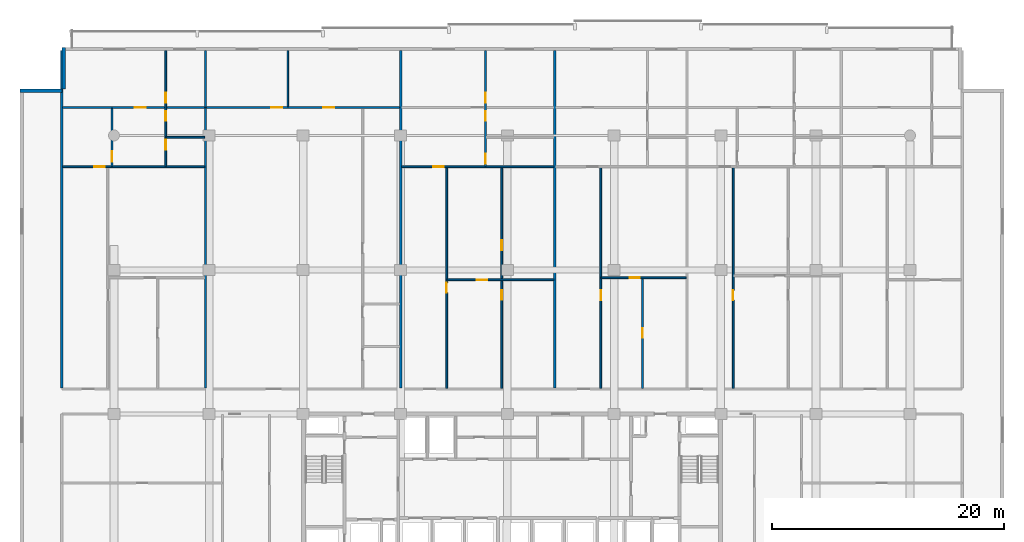
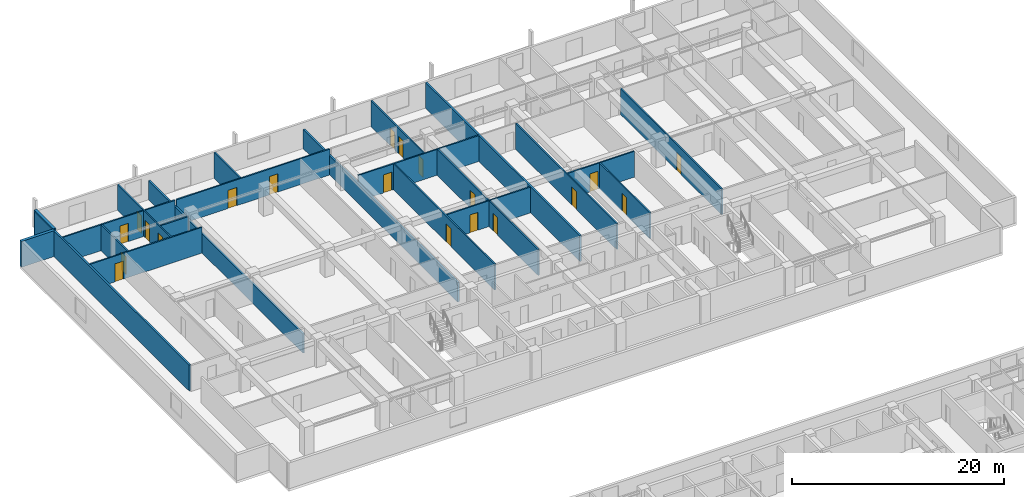
# One storey, part 14 of 23: 22 walls, 20 doors, 20 openings.
"""IFC4 building model written with IfcOpenShell, lengths in metres."""

import ifcopenshell
import ifcopenshell.guid

model = None  # the IFC model being written
_history = None  # IfcOwnerHistory: only IFC2X3 demands one
_inside = {}  # id of a spatial element -> (the spatial element, [elements in it])
_under = {}  # id of a project, library or spatial element -> (it, [spatial elements below it])
_declared = {}  # id of a project -> (the project, [libraries it declares])
_typed = {}  # id of a type object -> (the type object, [elements of that type])
_made_of = {}  # id of a material, layer set ... -> (it, [elements and type objects made of it])


def new_model(schema):
    """Start an empty IFC model of exactly this schema.

    Asked for "IFC4X3", IfcOpenShell would pick the latest addendum, in which some entities
    have other attributes; the version numbers below select the first issue.
    IFC2X3 requires an IfcOwnerHistory on every rooted entity: one is made here for all.
    """
    global model, _history
    if schema == "IFC4X3":
        model = ifcopenshell.file(schema_version=(4, 3, 0, 0))
    else:
        model = ifcopenshell.file(schema=schema)
    _inside.clear()
    _under.clear()
    _declared.clear()
    _typed.clear()
    _made_of.clear()
    _history = None
    if model.schema == "IFC2X3":
        org = make("IfcOrganization", Name="unknown")
        user = make(
            "IfcPersonAndOrganization",
            ThePerson=make("IfcPerson", FamilyName="unknown"),
            TheOrganization=org,
        )
        app = make(
            "IfcApplication",
            ApplicationDeveloper=org,
            Version="unknown",
            ApplicationFullName="unknown",
            ApplicationIdentifier="unknown",
        )
        _history = make(
            "IfcOwnerHistory",
            OwningUser=user,
            OwningApplication=app,
            ChangeAction="ADDED",
            CreationDate=0,
        )
    return model


def make(cls, **values):
    """One entity of the class cls with the attributes given. An attribute that is None is left unset."""
    return model.create_entity(
        cls, **{name: value for name, value in values.items() if value is not None}
    )


def rooted(cls, **values):
    """An entity with a GlobalId (a new one), such as an element, a storey or a relation."""
    return make(cls, GlobalId=ifcopenshell.guid.new(), OwnerHistory=_history, **values)


def si_unit(unit_type, name, prefix=None):
    """IfcSIUnit, for example si_unit("LENGTHUNIT", "METRE", prefix="MILLI")."""
    return make("IfcSIUnit", UnitType=unit_type, Prefix=prefix, Name=name)


def assignment(units):
    """IfcUnitAssignment: the units of a project."""
    return None if units is None else make("IfcUnitAssignment", Units=units)


def point(xyz):
    """IfcCartesianPoint."""
    return None if xyz is None else make("IfcCartesianPoint", Coordinates=xyz)


def direction(xyz):
    """IfcDirection."""
    return None if xyz is None else make("IfcDirection", DirectionRatios=xyz)


def frame(location, z_axis=None, x_axis=None):
    """IfcAxis2Placement3D, a coordinate frame: its origin and axes. An axis left out is left unset."""
    return make(
        "IfcAxis2Placement3D",
        Location=point(location),
        Axis=direction(z_axis),
        RefDirection=direction(x_axis),
    )


def frame_2d(location, x_axis=None):
    """IfcAxis2Placement2D, a coordinate frame in the plane: its origin and x axis."""
    return make(
        "IfcAxis2Placement2D", Location=point(location), RefDirection=direction(x_axis)
    )


def origin():
    """The frame at (0, 0, 0) with its axes left unset."""
    return frame((0.0, 0.0, 0.0))


def place(relative_to, where):
    """IfcLocalPlacement: puts the frame where relative to a parent placement (None: the world)."""
    return make(
        "IfcLocalPlacement", PlacementRelTo=relative_to, RelativePlacement=where
    )


def context(
    kind, dimensions, precision=None, world=None, true_north=None, identifier=None
):
    """IfcGeometricRepresentationContext, for example the 3D "Model" context."""
    return make(
        "IfcGeometricRepresentationContext",
        ContextIdentifier=identifier,
        ContextType=kind,
        CoordinateSpaceDimension=dimensions,
        Precision=precision,
        WorldCoordinateSystem=world,
        TrueNorth=true_north,
    )


def subcontext(parent, identifier, kind, view, scale=None):
    """IfcGeometricRepresentationSubContext, for example "Body" below "Model"."""
    return make(
        "IfcGeometricRepresentationSubContext",
        ContextIdentifier=identifier,
        ContextType=kind,
        ParentContext=parent,
        TargetScale=scale,
        TargetView=view,
    )


def project(units=None, contexts=None):
    """IfcProject with its units and contexts."""
    return rooted(
        "IfcProject",
        Name="project",
        RepresentationContexts=contexts,
        UnitsInContext=assignment(units),
    )


def spatial(cls, under=None, at=None, **own):
    """A site, building, storey or space (cls), placed at a placement, below another one or the project."""
    s = rooted(cls, ObjectPlacement=at, **own)
    if under is not None:
        _under.setdefault(under.id(), (under, []))[1].append(s)
    return s


def profile(cls, at=None, kind="AREA", **sizes):
    """A parametric profile (cls). Its sizes go by their IFC names, for example OverallWidth=200.0."""
    return make(cls, ProfileType=kind, Position=at, **sizes)


def rectangle(**sizes):
    """IfcRectangleProfileDef."""
    return profile("IfcRectangleProfileDef", **sizes)


def extrude(swept, where, along, depth):
    """IfcExtrudedAreaSolid: the profile swept, set in the frame where, extruded along a direction by depth."""
    return make(
        "IfcExtrudedAreaSolid",
        SweptArea=swept,
        Position=where,
        ExtrudedDirection=direction(along),
        Depth=depth,
    )


def shape(context_of_items, identifier, shape_type, items):
    """IfcShapeRepresentation: the items that make up one representation, for example the "Body"."""
    return make(
        "IfcShapeRepresentation",
        ContextOfItems=context_of_items,
        RepresentationIdentifier=identifier,
        RepresentationType=shape_type,
        Items=items,
    )


def material(Name=None, Category=None):
    """IfcMaterial."""
    return make("IfcMaterial", Name=Name, Category=Category)


def layer(
    of_material, thickness, ventilated=None, Name=None, Category=None, Priority=None
):
    """IfcMaterialLayer: one layer of a wall or slab, of a material (None: an air gap)."""
    return make(
        "IfcMaterialLayer",
        Material=of_material,
        LayerThickness=thickness,
        IsVentilated=ventilated,
        Name=Name,
        Category=Category,
        Priority=Priority,
    )


def layer_set(layers, Name=None):
    """IfcMaterialLayerSet."""
    return make("IfcMaterialLayerSet", MaterialLayers=layers, LayerSetName=Name)


def made_of(thing, what):
    """Note that an element or type object is made of a material, layer set ...; save() writes the relation."""
    if what is not None:
        _made_of.setdefault(what.id(), (what, []))[1].append(thing)
    return thing


def type_object(cls, material=None, **own):
    """A type object (cls), such as IfcWallType, which elements share."""
    return made_of(rooted(cls, **own), material)


def element(
    cls,
    number,
    at=None,
    inside=None,
    cuts=None,
    type_object=None,
    material=None,
    context=None,
    identifier="Body",
    shape_type=None,
    held_by="IfcProductDefinitionShape",
    body=None,
    shapes=None,
    **own,
):
    """One element of the class cls, such as IfcWall. Its Tag is "e" and its number.

    at: its placement. inside: the storey or other place that contains it. cuts: it is an
    opening in that element (IfcRelVoidsElement). A single representation is given by context,
    identifier, shape_type and body (its items); several are given by shapes. held_by: the class
    of the entity that holds the representations. save() writes the other relations.
    """
    e = rooted(cls, Tag="e%d" % number, ObjectPlacement=at, **own)
    if body is not None:
        shapes = [shape(context, identifier, shape_type, body)]
    if shapes is not None:
        e.Representation = make(held_by, Representations=shapes)
    if inside is not None:
        _inside.setdefault(inside.id(), (inside, []))[1].append(e)
    if cuts is not None:
        rooted(
            "IfcRelVoidsElement", RelatingBuildingElement=cuts, RelatedOpeningElement=e
        )
    if type_object is not None:
        _typed.setdefault(type_object.id(), (type_object, []))[1].append(e)
    return made_of(e, material)


def fill(opening, filler):
    """IfcRelFillsElement: the door or window that sits in an opening."""
    return rooted(
        "IfcRelFillsElement",
        RelatingOpeningElement=opening,
        RelatedBuildingElement=filler,
    )


def aggregate(whole, parts):
    """IfcRelAggregates: a whole, such as a stair, and the parts it consists of."""
    return rooted("IfcRelAggregates", RelatingObject=whole, RelatedObjects=parts)


def save(model, path):
    """Write the relations noted so far, then the file.

    IfcRelAggregates (storeys below a building ...), IfcRelContainedInSpatialStructure (elements
    in a storey), IfcRelDefinesByType, IfcRelAssociatesMaterial and IfcRelDeclares: one each for
    every whole, place, type object, material and project.
    """
    for whole, parts in _under.values():
        aggregate(whole, parts)
    for where, things in _inside.values():
        rooted(
            "IfcRelContainedInSpatialStructure",
            RelatedElements=things,
            RelatingStructure=where,
        )
    for kind, things in _typed.values():
        rooted("IfcRelDefinesByType", RelatedObjects=things, RelatingType=kind)
    for what, things in _made_of.values():
        rooted("IfcRelAssociatesMaterial", RelatedObjects=things, RelatingMaterial=what)
    for by, libraries in _declared.values():
        rooted("IfcRelDeclares", RelatingContext=by, RelatedDefinitions=libraries)
    model.write(path)


model = new_model("IFC4")

# Units and contexts
model_context = context("Model", 3, precision=1e-05, world=origin(), true_north=direction((0.0, 1.0)))
body_context = subcontext(model_context, "Body", "Model", "MODEL_VIEW")
ifc_project = project(units=[si_unit("LENGTHUNIT", "METRE"), si_unit("AREAUNIT", "SQUARE_METRE"), si_unit("VOLUMEUNIT", "CUBIC_METRE"), si_unit("PLANEANGLEUNIT", "RADIAN"), si_unit("MASSUNIT", "GRAM", prefix="KILO")], contexts=[model_context])

# Site, building, storey
site_placement = place(None, origin())
site = spatial("IfcSite", under=ifc_project, at=site_placement, CompositionType="ELEMENT")
building_placement = place(site_placement, origin())
building = spatial("IfcBuilding", under=site, at=building_placement, Name="Korimba Cascade Residences", CompositionType="ELEMENT")
storey_placement = place(building_placement, frame((0.0, 0.0, 33.75)))
storey = spatial("IfcBuildingStorey", under=building, at=storey_placement, Name="L08", CompositionType="ELEMENT", Elevation=33.75)

# Walls
ifc_material_1 = material(Name="Precast concrete C40/50", Category="concrete")
ifc_layer_1 = layer(ifc_material_1, 0.300048828125)
ifc_layer_set_1 = layer_set([ifc_layer_1], Name="Precast concrete C40/50")
wall_type_1 = type_object("IfcWallType", Name="EW-STONE-300", PredefinedType="STANDARD", material=ifc_layer_set_1)
for number, where, z_axis, x_axis, name in (
    (1, (55.449951171875, 98.800048828125, 0.0), (0.0, 0.0, 1.0), (0.0, -1.0, 0.0), "L08 T1 Perimeter Stone Wall E07"),
    (2, (55.300048828125, 95.050048828125, 0.0), (0.0, 0.0, 1.0), (-1.0, 0.0, 0.0), "L08 T1 Perimeter Stone Wall E08"),
):
    element("IfcWall", number, at=place(storey_placement, frame(where, z_axis=z_axis, x_axis=x_axis)), inside=storey, type_object=wall_type_1, Name=name, PredefinedType="STANDARD", context=body_context, shape_type="SweptSolid", body=[
        extrude(rectangle(XDim=3.60009765625, YDim=0.300048828125, at=frame_2d((1.800048828125, 0.0))), origin(), (0.0, 0.0, 1.0), 2.969970703125),
    ])
ifc_layer_2 = layer(ifc_material_1, 0.199951171875)
ifc_layer_set_2 = layer_set([ifc_layer_2], Name="Precast concrete C40/50")
wall_type_2 = type_object("IfcWallType", Name="WAL-IT-200", PredefinedType="PARTITIONING", material=ifc_layer_set_2)
wall_1_placement = place(storey_placement, frame((55.300048828125, 69.429931640625, 0.0), z_axis=(0.0, 0.0, 1.0), x_axis=(0.0, 1.0, 0.0)))
element("IfcWall", 3, at=wall_1_placement, inside=storey, type_object=wall_type_2, Name="L08 Partition Wall WAL-L08-T1-BNDWL", PredefinedType="PARTITIONING", context=body_context, shape_type="SweptSolid", body=[
    extrude(rectangle(XDim=29.070068359375, YDim=0.199951171875, at=frame_2d((14.53515625, 0.0))), origin(), (0.0, 0.0, 1.0), 2.969970703125),
])
for number, where, z_axis, x_axis, name in (
    (4, (67.68017578125, 69.429931640625, 0.0), (0.0, 0.0, 1.0), (0.0, 1.0, 0.0), "L08 Partition Wall WAL-L08-T1-DEM-1"),
    (5, (84.49951171875, 69.429931640625, 0.0), (0.0, 0.0, 1.0), (0.0, 1.0, 0.0), "L08 Partition Wall WAL-L08-T1-DEM-2"),
):
    element("IfcWall", number, at=place(storey_placement, frame(where, z_axis=z_axis, x_axis=x_axis)), inside=storey, type_object=wall_type_2, Name=name, PredefinedType="PARTITIONING", context=body_context, shape_type="SweptSolid", body=[
        extrude(rectangle(XDim=29.070068359375, YDim=0.199951171875, at=frame_2d((14.53515625, 0.0))), origin(), (0.0, 0.0, 1.0), 2.219970703125),
    ])
wall_2_placement = place(storey_placement, frame((97.781982421875, 69.429931640625, 0.0), z_axis=(0.0, 0.0, 1.0), x_axis=(0.0, 1.0, 0.0)))
element("IfcWall", 6, at=wall_2_placement, inside=storey, type_object=wall_type_2, Name="L08 Partition Wall WAL-L08-T1-DEM-3", PredefinedType="PARTITIONING", context=body_context, shape_type="SweptSolid", body=[
    extrude(rectangle(XDim=29.070068359375, YDim=0.199951171875, at=frame_2d((14.53515625, 0.0))), origin(), (0.0, 0.0, 1.0), 2.969970703125),
])

# Wall, opening, door
ifc_material_2 = material(Name="Insulated Acoustic Stud Partition", Category="gypsum")
ifc_layer_3 = layer(ifc_material_2, 0.14990234375)
ifc_layer_set_3 = layer_set([ifc_layer_3], Name="Insulated Acoustic Stud Partition")
wall_type_3 = type_object("IfcWallType", Name="WAL-PART-150", PredefinedType="PARTITIONING", material=ifc_layer_set_3)
wall_3_placement = place(storey_placement, frame((59.6201171875, 88.5400390625, 0.0), z_axis=(0.0, 0.0, 1.0), x_axis=(0.0, 1.0, 0.0)))
wall_3 = element("IfcWall", 7, at=wall_3_placement, inside=storey, type_object=wall_type_3, Name="L08 Partition Wall WAL-L08-T1-U01-VDIN", PredefinedType="PARTITIONING", context=body_context, shape_type="SweptSolid", body=[
    extrude(rectangle(XDim=5.0, YDim=0.14990234375, at=frame_2d((2.5, 0.0))), origin(), (0.0, 0.0, 1.0), 2.969970703125),
])
opening_1_placement = place(wall_3_placement, frame((0.39990234375, 0.0, 0.0)))
opening_1 = element("IfcOpeningElement", 8, at=opening_1_placement, cuts=wall_3, Name="Opening D-IN2", PredefinedType="OPENING", context=body_context, shape_type="SweptSolid", body=[
    extrude(rectangle(XDim=0.8798828125, YDim=2.06005859375, at=frame_2d((0.43994140625, 1.030029296875))), frame((0.0, 0.0849609375, 0.0), z_axis=(0.0, -1.0, 0.0), x_axis=(1.0, 0.0, 0.0)), (0.0, 0.0, 1.0), 0.169921875),
])
ifc_material_3 = material(Name="Acoustic Timber Bedroom Door", Category="wood")
door_type_1 = type_object("IfcDoorType", Name="DR-INT-880", OperationType="NOTDEFINED", PredefinedType="DOOR", material=ifc_material_3)
door_1_placement = place(opening_1_placement, origin())
door_1 = element("IfcDoor", 9, at=door_1_placement, inside=storey, type_object=door_type_1, Name="L08-T1-U01 Dining Room Door", OperationType="SINGLE_SWING_RIGHT", OverallHeight=2.06005859375, OverallWidth=0.8798828125, PredefinedType="DOOR", context=body_context, shape_type="SweptSolid", body=[
    extrude(rectangle(XDim=0.8798828125, YDim=2.06005859375, at=frame_2d((0.43994140625, 1.030029296875))), frame((0.0, 0.02490234375, 0.0), z_axis=(0.0, -1.0, 0.0), x_axis=(1.0, 0.0, 0.0)), (0.0, 0.0, 1.0), 0.050048828125),
])
fill(opening_1, door_1)

# Wall
wall_4_placement = place(storey_placement, frame((64.3203125, 91.0400390625, 0.0), z_axis=(0.0, 0.0, 1.0), x_axis=(1.0, 0.0, 0.0)))
element("IfcWall", 10, at=wall_4_placement, inside=storey, type_object=wall_type_3, Name="L08 Partition Wall WAL-L08-T1-U01-BLDIV", PredefinedType="PARTITIONING", context=body_context, shape_type="SweptSolid", body=[
    extrude(rectangle(XDim=3.27978515625, YDim=0.14990234375, at=frame_2d((1.639892578125, 0.0))), origin(), (0.0, 0.0, 1.0), 2.663330078125),
])

# Wall, openings, doors
wall_5_placement = place(storey_placement, frame((64.26025390625, 88.5400390625, 0.0), z_axis=(0.0, 0.0, 1.0), x_axis=(0.0, 1.0, 0.0)))
wall_5 = element("IfcWall", 11, at=wall_5_placement, inside=storey, type_object=wall_type_3, Name="L08 Partition Wall WAL-L08-T1-U01-V1", PredefinedType="PARTITIONING", context=body_context, shape_type="SweptSolid", body=[
    extrude(rectangle(XDim=9.9599609375, YDim=0.14990234375, at=frame_2d((4.97998046875, 0.0))), origin(), (0.0, 0.0, 1.0), 2.969970703125),
])
opening_2_placement = place(wall_5_placement, frame((1.430419921875, 0.0, 0.0)))
opening_2 = element("IfcOpeningElement", 12, at=opening_2_placement, cuts=wall_5, Name="Opening D-BT1", PredefinedType="OPENING", context=body_context, shape_type="SweptSolid", body=[
    extrude(rectangle(XDim=0.840087890625, YDim=2.0400390625, at=frame_2d((0.419921875, 1.02001953125))), frame((0.0, 0.0849609375, 0.0), z_axis=(0.0, -1.0, 0.0), x_axis=(1.0, 0.0, 0.0)), (0.0, 0.0, 1.0), 0.169921875),
])
opening_3_placement = place(wall_5_placement, frame((3.919921875, 0.0, 0.0)))
opening_3 = element("IfcOpeningElement", 13, at=opening_3_placement, cuts=wall_5, Name="Opening D-BT1", PredefinedType="OPENING", context=body_context, shape_type="SweptSolid", body=[
    extrude(rectangle(XDim=0.840087890625, YDim=2.0400390625, at=frame_2d((0.419921875, 1.02001953125))), frame((0.0, 0.0849609375, 0.0), z_axis=(0.0, -1.0, 0.0), x_axis=(1.0, 0.0, 0.0)), (0.0, 0.0, 1.0), 0.169921875),
])
opening_4_placement = place(wall_5_placement, frame((5.47998046875, 0.0, 0.0)))
opening_4 = element("IfcOpeningElement", 14, at=opening_4_placement, cuts=wall_5, Name="Opening D-IN2", PredefinedType="OPENING", context=body_context, shape_type="SweptSolid", body=[
    extrude(rectangle(XDim=0.8798828125, YDim=2.06005859375, at=frame_2d((0.43994140625, 1.030029296875))), frame((0.0, 0.0849609375, 0.0), z_axis=(0.0, -1.0, 0.0), x_axis=(1.0, 0.0, 0.0)), (0.0, 0.0, 1.0), 0.169921875),
])
ifc_material_4 = material(Name="Moisture-Resistant Bathroom Timber Door", Category="wood")
door_type_2 = type_object("IfcDoorType", Name="DR-INT-850", OperationType="NOTDEFINED", PredefinedType="DOOR", material=ifc_material_4)
door_2_placement = place(opening_2_placement, origin())
door_2 = element("IfcDoor", 15, at=door_2_placement, inside=storey, type_object=door_type_2, Name="L08-T1-U01 Bathroom Door", OperationType="SINGLE_SWING_LEFT", OverallHeight=2.0400390625, OverallWidth=0.840087890625, PredefinedType="DOOR", context=body_context, shape_type="SweptSolid", body=[
    extrude(rectangle(XDim=0.840087890625, YDim=2.0400390625, at=frame_2d((0.419921875, 1.02001953125))), frame((0.0, 0.02490234375, 0.0), z_axis=(0.0, -1.0, 0.0), x_axis=(1.0, 0.0, 0.0)), (0.0, 0.0, 1.0), 0.050048828125),
])
fill(opening_2, door_2)
door_3_placement = place(opening_3_placement, origin())
door_3 = element("IfcDoor", 16, at=door_3_placement, inside=storey, type_object=door_type_2, Name="L08-T1-U01 Laundry Door", OperationType="SINGLE_SWING_RIGHT", OverallHeight=2.0400390625, OverallWidth=0.840087890625, PredefinedType="DOOR", context=body_context, shape_type="SweptSolid", body=[
    extrude(rectangle(XDim=0.840087890625, YDim=2.0400390625, at=frame_2d((0.419921875, 1.02001953125))), frame((0.0, 0.02490234375, 0.0), z_axis=(0.0, -1.0, 0.0), x_axis=(1.0, 0.0, 0.0)), (0.0, 0.0, 1.0), 0.050048828125),
])
fill(opening_3, door_3)
door_4_placement = place(opening_4_placement, origin())
door_4 = element("IfcDoor", 17, at=door_4_placement, inside=storey, type_object=door_type_1, Name="L08-T1-U01 Bedroom 1 Door", OperationType="SINGLE_SWING_LEFT", OverallHeight=2.06005859375, OverallWidth=0.8798828125, PredefinedType="DOOR", context=body_context, shape_type="SweptSolid", body=[
    extrude(rectangle(XDim=0.8798828125, YDim=2.06005859375, at=frame_2d((0.43994140625, 1.030029296875))), frame((0.0, 0.02490234375, 0.0), z_axis=(0.0, -1.0, 0.0), x_axis=(1.0, 0.0, 0.0)), (0.0, 0.0, 1.0), 0.050048828125),
])
fill(opening_4, door_4)

# Wall, opening, door
wall_6_placement = place(storey_placement, frame((55.3798828125, 88.5, 0.0), z_axis=(0.0, 0.0, 1.0), x_axis=(1.0, 0.0, 0.0)))
wall_6 = element("IfcWall", 18, at=wall_6_placement, inside=storey, type_object=wall_type_3, Name="L08 Partition Wall WAL-L08-T1-U01-MW", PredefinedType="PARTITIONING", context=body_context, shape_type="SweptSolid", body=[
    extrude(rectangle(XDim=12.22021484375, YDim=0.14990234375, at=frame_2d((6.110107421875, 0.0))), origin(), (0.0, 0.0, 1.0), 2.969970703125),
])
opening_5_placement = place(wall_6_placement, frame((2.719970703125, 0.0, 0.0)))
opening_5 = element("IfcOpeningElement", 19, at=opening_5_placement, cuts=wall_6, Name="Opening D-IN1", PredefinedType="OPENING", context=body_context, shape_type="SweptSolid", body=[
    extrude(rectangle(XDim=0.919921875, YDim=2.080078125, at=frame_2d((0.4599609375, 1.0400390625))), frame((0.0, 0.0849609375, 0.0), z_axis=(0.0, -1.0, 0.0), x_axis=(1.0, 0.0, 0.0)), (0.0, 0.0, 1.0), 0.169921875),
])
ifc_material_5 = material(Name="Acoustic Timber Living Door", Category="wood")
door_type_3 = type_object("IfcDoorType", Name="DR-INT-920", OperationType="NOTDEFINED", PredefinedType="DOOR", material=ifc_material_5)
door_5_placement = place(opening_5_placement, origin())
door_5 = element("IfcDoor", 20, at=door_5_placement, inside=storey, type_object=door_type_3, Name="L08-T1-U01 Kitchen Archway Door", OperationType="SINGLE_SWING_RIGHT", OverallHeight=2.080078125, OverallWidth=0.919921875, PredefinedType="DOOR", context=body_context, shape_type="SweptSolid", body=[
    extrude(rectangle(XDim=0.919921875, YDim=2.080078125, at=frame_2d((0.4599609375, 1.0400390625))), frame((0.0, 0.02490234375, 0.0), z_axis=(0.0, -1.0, 0.0), x_axis=(1.0, 0.0, 0.0)), (0.0, 0.0, 1.0), 0.050048828125),
])
fill(opening_5, door_5)

wall_7_placement = place(storey_placement, frame((55.3798828125, 93.60009765625, 0.0), z_axis=(0.0, 0.0, 1.0), x_axis=(1.0, 0.0, 0.0)))
wall_7 = element("IfcWall", 21, at=wall_7_placement, inside=storey, type_object=wall_type_3, Name="L08 Partition Wall WAL-L08-T1-U01-HZ", PredefinedType="PARTITIONING", context=body_context, shape_type="SweptSolid", body=[
    extrude(rectangle(XDim=12.22021484375, YDim=0.14990234375, at=frame_2d((6.110107421875, 0.0))), origin(), (0.0, 0.0, 1.0), 2.969970703125),
])
opening_6_placement = place(wall_7_placement, frame((6.2021484375, 0.0, 0.0)))
opening_6 = element("IfcOpeningElement", 22, at=opening_6_placement, cuts=wall_7, Name="Opening D-IN0", PredefinedType="OPENING", context=body_context, shape_type="SweptSolid", body=[
    extrude(rectangle(XDim=0.93994140625, YDim=2.10009765625, at=frame_2d((0.469970703125, 1.050048828125))), frame((0.0, 0.0849609375, 0.0), z_axis=(0.0, -1.0, 0.0), x_axis=(1.0, 0.0, 0.0)), (0.0, 0.0, 1.0), 0.169921875),
])
ifc_material_6 = material(Name="Acoustic Timber Living Archway Door", Category="wood")
door_type_4 = type_object("IfcDoorType", Name="DR-INT-950", OperationType="NOTDEFINED", PredefinedType="DOOR", material=ifc_material_6)
door_6_placement = place(opening_6_placement, origin())
door_6 = element("IfcDoor", 23, at=door_6_placement, inside=storey, type_object=door_type_4, Name="L08-T1-U01 Living Archway Door", OperationType="SINGLE_SWING_LEFT", OverallHeight=2.10009765625, OverallWidth=0.93994140625, PredefinedType="DOOR", context=body_context, shape_type="SweptSolid", body=[
    extrude(rectangle(XDim=0.93994140625, YDim=2.10009765625, at=frame_2d((0.469970703125, 1.050048828125))), frame((0.0, 0.02490234375, 0.0), z_axis=(0.0, -1.0, 0.0), x_axis=(1.0, 0.0, 0.0)), (0.0, 0.0, 1.0), 0.050048828125),
])
fill(opening_6, door_6)

# Wall
wall_8_placement = place(storey_placement, frame((74.784912109375, 93.679931640625, 0.0), z_axis=(0.0, 0.0, 1.0), x_axis=(0.0, 1.0, 0.0)))
element("IfcWall", 24, at=wall_8_placement, inside=storey, type_object=wall_type_3, Name="L08 Partition Wall WAL-L08-T1-U02-OUTV", PredefinedType="PARTITIONING", context=body_context, shape_type="SweptSolid", body=[
    extrude(rectangle(XDim=4.820068359375, YDim=0.14990234375, at=frame_2d((2.41015625, 0.0))), origin(), (0.0, 0.0, 1.0), 2.969970703125),
])

# Wall, openings, doors
wall_9_placement = place(storey_placement, frame((67.76025390625, 93.60009765625, 0.0), z_axis=(0.0, 0.0, 1.0), x_axis=(1.0, 0.0, 0.0)))
wall_9 = element("IfcWall", 25, at=wall_9_placement, inside=storey, type_object=wall_type_3, Name="L08 Partition Wall WAL-L08-T1-U02-HZ", PredefinedType="PARTITIONING", context=body_context, shape_type="SweptSolid", body=[
    extrude(rectangle(XDim=16.6591796875, YDim=0.14990234375, at=frame_2d((8.32958984375, 0.0))), origin(), (0.0, 0.0, 1.0), 2.969970703125),
])
opening_7_placement = place(wall_9_placement, frame((5.611083984375, 0.0, 0.0)))
opening_7 = element("IfcOpeningElement", 26, at=opening_7_placement, cuts=wall_9, Name="Opening D-IN0", PredefinedType="OPENING", context=body_context, shape_type="SweptSolid", body=[
    extrude(rectangle(XDim=0.93994140625, YDim=2.10009765625, at=frame_2d((0.469970703125, 1.050048828125))), frame((0.0, 0.0849609375, 0.0), z_axis=(0.0, -1.0, 0.0), x_axis=(1.0, 0.0, 0.0)), (0.0, 0.0, 1.0), 0.169921875),
])
opening_8_placement = place(wall_9_placement, frame((10.0771484375, 0.0, 0.0)))
opening_8 = element("IfcOpeningElement", 27, at=opening_8_placement, cuts=wall_9, Name="Opening D-IN0", PredefinedType="OPENING", context=body_context, shape_type="SweptSolid", body=[
    extrude(rectangle(XDim=0.93994140625, YDim=2.10009765625, at=frame_2d((0.469970703125, 1.050048828125))), frame((0.0, 0.0849609375, 0.0), z_axis=(0.0, -1.0, 0.0), x_axis=(1.0, 0.0, 0.0)), (0.0, 0.0, 1.0), 0.169921875),
])
door_7_placement = place(opening_7_placement, origin())
door_7 = element("IfcDoor", 28, at=door_7_placement, inside=storey, type_object=door_type_4, Name="L08-T1-U02 Executive Co-Working Office Door", OperationType="SINGLE_SWING_LEFT", OverallHeight=2.10009765625, OverallWidth=0.93994140625, PredefinedType="DOOR", context=body_context, shape_type="SweptSolid", body=[
    extrude(rectangle(XDim=0.93994140625, YDim=2.10009765625, at=frame_2d((0.469970703125, 1.050048828125))), frame((0.0, 0.02490234375, 0.0), z_axis=(0.0, -1.0, 0.0), x_axis=(1.0, 0.0, 0.0)), (0.0, 0.0, 1.0), 0.050048828125),
])
fill(opening_7, door_7)
door_8_placement = place(opening_8_placement, origin())
door_8 = element("IfcDoor", 29, at=door_8_placement, inside=storey, type_object=door_type_4, Name="L08-T1-U02 Focus Workstation Office Door", OperationType="SINGLE_SWING_RIGHT", OverallHeight=2.10009765625, OverallWidth=0.93994140625, PredefinedType="DOOR", context=body_context, shape_type="SweptSolid", body=[
    extrude(rectangle(XDim=0.93994140625, YDim=2.10009765625, at=frame_2d((0.469970703125, 1.050048828125))), frame((0.0, 0.02490234375, 0.0), z_axis=(0.0, -1.0, 0.0), x_axis=(1.0, 0.0, 0.0)), (0.0, 0.0, 1.0), 0.050048828125),
])
fill(opening_8, door_8)

wall_10_placement = place(storey_placement, frame((93.2158203125, 69.409912109375, 0.0), z_axis=(0.0, 0.0, 1.0), x_axis=(0.0, 1.0, 0.0)))
wall_10 = element("IfcWall", 30, at=wall_10_placement, inside=storey, type_object=wall_type_3, Name="L08 Partition Wall WAL-L08-T1-U03-FMV", PredefinedType="PARTITIONING", context=body_context, shape_type="SweptSolid", body=[
    extrude(rectangle(XDim=19.050048828125, YDim=0.14990234375, at=frame_2d((9.52490234375, 0.0))), origin(), (0.0, 0.0, 1.0), 2.969970703125),
])
opening_9_placement = place(wall_10_placement, frame((7.62255859375, 0.0, 0.0)))
opening_9 = element("IfcOpeningElement", 31, at=opening_9_placement, cuts=wall_10, Name="Opening D-BT1", PredefinedType="OPENING", context=body_context, shape_type="SweptSolid", body=[
    extrude(rectangle(XDim=0.840087890625, YDim=2.0400390625, at=frame_2d((0.419921875, 1.02001953125))), frame((0.0, 0.0849609375, 0.0), z_axis=(0.0, -1.0, 0.0), x_axis=(1.0, 0.0, 0.0)), (0.0, 0.0, 1.0), 0.169921875),
])
opening_10_placement = place(wall_10_placement, frame((11.89794921875, 0.0, 0.0)))
opening_10 = element("IfcOpeningElement", 32, at=opening_10_placement, cuts=wall_10, Name="Opening D-IN2", PredefinedType="OPENING", context=body_context, shape_type="SweptSolid", body=[
    extrude(rectangle(XDim=0.8798828125, YDim=2.06005859375, at=frame_2d((0.43994140625, 1.030029296875))), frame((0.0, 0.0849609375, 0.0), z_axis=(0.0, -1.0, 0.0), x_axis=(1.0, 0.0, 0.0)), (0.0, 0.0, 1.0), 0.169921875),
])
door_9_placement = place(opening_9_placement, origin())
door_9 = element("IfcDoor", 33, at=door_9_placement, inside=storey, type_object=door_type_2, Name="L08-T1-U03 Wardrobe Door", OperationType="SINGLE_SWING_LEFT", OverallHeight=2.0400390625, OverallWidth=0.840087890625, PredefinedType="DOOR", context=body_context, shape_type="SweptSolid", body=[
    extrude(rectangle(XDim=0.840087890625, YDim=2.0400390625, at=frame_2d((0.419921875, 1.02001953125))), frame((0.0, 0.02490234375, 0.0), z_axis=(0.0, -1.0, 0.0), x_axis=(1.0, 0.0, 0.0)), (0.0, 0.0, 1.0), 0.050048828125),
])
fill(opening_9, door_9)
door_10_placement = place(opening_10_placement, origin())
door_10 = element("IfcDoor", 34, at=door_10_placement, inside=storey, type_object=door_type_1, Name="L08-T1-U03 Music Lounge Door", OperationType="SINGLE_SWING_RIGHT", OverallHeight=2.06005859375, OverallWidth=0.8798828125, PredefinedType="DOOR", context=body_context, shape_type="SweptSolid", body=[
    extrude(rectangle(XDim=0.8798828125, YDim=2.06005859375, at=frame_2d((0.43994140625, 1.030029296875))), frame((0.0, 0.02490234375, 0.0), z_axis=(0.0, -1.0, 0.0), x_axis=(1.0, 0.0, 0.0)), (0.0, 0.0, 1.0), 0.050048828125),
])
fill(opening_10, door_10)

# Wall, opening, door
wall_11_placement = place(storey_placement, frame((88.529296875, 78.7548828125, 0.0), z_axis=(0.0, 0.0, 1.0), x_axis=(1.0, 0.0, 0.0)))
wall_11 = element("IfcWall", 35, at=wall_11_placement, inside=storey, type_object=wall_type_3, Name="L08 Partition Wall WAL-L08-T1-U03-FMH", PredefinedType="PARTITIONING", context=body_context, shape_type="SweptSolid", body=[
    extrude(rectangle(XDim=9.172607421875, YDim=0.14990234375, at=frame_2d((4.58642578125, 0.0))), origin(), (0.0, 0.0, 1.0), 2.969970703125),
])
opening_11_placement = place(wall_11_placement, frame((2.55078125, 0.0, 0.0)))
opening_11 = element("IfcOpeningElement", 36, at=opening_11_placement, cuts=wall_11, Name="Opening D-IN2", PredefinedType="OPENING", context=body_context, shape_type="SweptSolid", body=[
    extrude(rectangle(XDim=0.8798828125, YDim=2.06005859375, at=frame_2d((0.43994140625, 1.030029296875))), frame((0.0, 0.0849609375, 0.0), z_axis=(0.0, -1.0, 0.0), x_axis=(1.0, 0.0, 0.0)), (0.0, 0.0, 1.0), 0.169921875),
])
door_11_placement = place(opening_11_placement, origin())
door_11 = element("IfcDoor", 37, at=door_11_placement, inside=storey, type_object=door_type_1, Name="L08-T1-U03 Library Salon Door", OperationType="SINGLE_SWING_LEFT", OverallHeight=2.06005859375, OverallWidth=0.8798828125, PredefinedType="DOOR", context=body_context, shape_type="SweptSolid", body=[
    extrude(rectangle(XDim=0.8798828125, YDim=2.06005859375, at=frame_2d((0.43994140625, 1.030029296875))), frame((0.0, 0.02490234375, 0.0), z_axis=(0.0, -1.0, 0.0), x_axis=(1.0, 0.0, 0.0)), (0.0, 0.0, 1.0), 0.050048828125),
])
fill(opening_11, door_11)

wall_12_placement = place(storey_placement, frame((88.469482421875, 69.409912109375, 0.0), z_axis=(0.0, 0.0, 1.0), x_axis=(0.0, 1.0, 0.0)))
wall_12 = element("IfcWall", 38, at=wall_12_placement, inside=storey, type_object=wall_type_3, Name="L08 Partition Wall WAL-L08-T1-U03-FV", PredefinedType="PARTITIONING", context=body_context, shape_type="SweptSolid", body=[
    extrude(rectangle(XDim=19.050048828125, YDim=0.14990234375, at=frame_2d((9.52490234375, 0.0))), origin(), (0.0, 0.0, 1.0), 2.969970703125),
])
opening_12_placement = place(wall_12_placement, frame((8.215087890625, 0.0, 0.0)))
opening_12 = element("IfcOpeningElement", 39, at=opening_12_placement, cuts=wall_12, Name="Opening D-IN2", PredefinedType="OPENING", context=body_context, shape_type="SweptSolid", body=[
    extrude(rectangle(XDim=0.8798828125, YDim=2.06005859375, at=frame_2d((0.43994140625, 1.030029296875))), frame((0.0, 0.0849609375, 0.0), z_axis=(0.0, -1.0, 0.0), x_axis=(1.0, 0.0, 0.0)), (0.0, 0.0, 1.0), 0.169921875),
])
door_12_placement = place(opening_12_placement, origin())
door_12 = element("IfcDoor", 40, at=door_12_placement, inside=storey, type_object=door_type_1, Name="L08-T1-U03 Media Lounge Door", OperationType="SINGLE_SWING_RIGHT", OverallHeight=2.06005859375, OverallWidth=0.8798828125, PredefinedType="DOOR", context=body_context, shape_type="SweptSolid", body=[
    extrude(rectangle(XDim=0.8798828125, YDim=2.06005859375, at=frame_2d((0.43994140625, 1.030029296875))), frame((0.0, 0.02490234375, 0.0), z_axis=(0.0, -1.0, 0.0), x_axis=(1.0, 0.0, 0.0)), (0.0, 0.0, 1.0), 0.050048828125),
])
fill(opening_12, door_12)

# Wall, openings, doors
wall_13_placement = place(storey_placement, frame((91.820068359375, 88.5400390625, 0.0), z_axis=(0.0, 0.0, 1.0), x_axis=(0.0, 1.0, 0.0)))
wall_13 = element("IfcWall", 41, at=wall_13_placement, inside=storey, type_object=wall_type_3, Name="L08 Partition Wall WAL-L08-T1-U03-V1", PredefinedType="PARTITIONING", context=body_context, shape_type="SweptSolid", body=[
    extrude(rectangle(XDim=9.9599609375, YDim=0.14990234375, at=frame_2d((4.97998046875, 0.0))), origin(), (0.0, 0.0, 1.0), 2.969970703125),
])
opening_13_placement = place(wall_13_placement, frame((0.239990234375, 0.0, 0.0)))
opening_13 = element("IfcOpeningElement", 42, at=opening_13_placement, cuts=wall_13, Name="Opening D-BT1", PredefinedType="OPENING", context=body_context, shape_type="SweptSolid", body=[
    extrude(rectangle(XDim=0.840087890625, YDim=2.0400390625, at=frame_2d((0.419921875, 1.02001953125))), frame((0.0, 0.0849609375, 0.0), z_axis=(0.0, -1.0, 0.0), x_axis=(1.0, 0.0, 0.0)), (0.0, 0.0, 1.0), 0.169921875),
])
opening_14_placement = place(wall_13_placement, frame((3.919921875, 0.0, 0.0)))
opening_14 = element("IfcOpeningElement", 43, at=opening_14_placement, cuts=wall_13, Name="Opening D-BT1", PredefinedType="OPENING", context=body_context, shape_type="SweptSolid", body=[
    extrude(rectangle(XDim=0.840087890625, YDim=2.0400390625, at=frame_2d((0.419921875, 1.02001953125))), frame((0.0, 0.0849609375, 0.0), z_axis=(0.0, -1.0, 0.0), x_axis=(1.0, 0.0, 0.0)), (0.0, 0.0, 1.0), 0.169921875),
])
opening_15_placement = place(wall_13_placement, frame((5.47998046875, 0.0, 0.0)))
opening_15 = element("IfcOpeningElement", 44, at=opening_15_placement, cuts=wall_13, Name="Opening D-IN2", PredefinedType="OPENING", context=body_context, shape_type="SweptSolid", body=[
    extrude(rectangle(XDim=0.8798828125, YDim=2.06005859375, at=frame_2d((0.43994140625, 1.030029296875))), frame((0.0, 0.0849609375, 0.0), z_axis=(0.0, -1.0, 0.0), x_axis=(1.0, 0.0, 0.0)), (0.0, 0.0, 1.0), 0.169921875),
])
door_13_placement = place(opening_13_placement, origin())
door_13 = element("IfcDoor", 45, at=door_13_placement, inside=storey, type_object=door_type_2, Name="L08-T1-U03 Bathroom Door", OperationType="SINGLE_SWING_LEFT", OverallHeight=2.0400390625, OverallWidth=0.840087890625, PredefinedType="DOOR", context=body_context, shape_type="SweptSolid", body=[
    extrude(rectangle(XDim=0.840087890625, YDim=2.0400390625, at=frame_2d((0.419921875, 1.02001953125))), frame((0.0, 0.02490234375, 0.0), z_axis=(0.0, -1.0, 0.0), x_axis=(1.0, 0.0, 0.0)), (0.0, 0.0, 1.0), 0.050048828125),
])
fill(opening_13, door_13)
door_14_placement = place(opening_14_placement, origin())
door_14 = element("IfcDoor", 46, at=door_14_placement, inside=storey, type_object=door_type_2, Name="L08-T1-U03 Laundry Door", OperationType="SINGLE_SWING_RIGHT", OverallHeight=2.0400390625, OverallWidth=0.840087890625, PredefinedType="DOOR", context=body_context, shape_type="SweptSolid", body=[
    extrude(rectangle(XDim=0.840087890625, YDim=2.0400390625, at=frame_2d((0.419921875, 1.02001953125))), frame((0.0, 0.02490234375, 0.0), z_axis=(0.0, -1.0, 0.0), x_axis=(1.0, 0.0, 0.0)), (0.0, 0.0, 1.0), 0.050048828125),
])
fill(opening_14, door_14)
door_15_placement = place(opening_15_placement, origin())
door_15 = element("IfcDoor", 47, at=door_15_placement, inside=storey, type_object=door_type_1, Name="L08-T1-U03 Bedroom 1 Door", OperationType="SINGLE_SWING_LEFT", OverallHeight=2.06005859375, OverallWidth=0.8798828125, PredefinedType="DOOR", context=body_context, shape_type="SweptSolid", body=[
    extrude(rectangle(XDim=0.8798828125, YDim=2.06005859375, at=frame_2d((0.43994140625, 1.030029296875))), frame((0.0, 0.02490234375, 0.0), z_axis=(0.0, -1.0, 0.0), x_axis=(1.0, 0.0, 0.0)), (0.0, 0.0, 1.0), 0.050048828125),
])
fill(opening_15, door_15)

# Wall, opening, door
wall_14_placement = place(storey_placement, frame((84.579345703125, 88.5, 0.0), z_axis=(0.0, 0.0, 1.0), x_axis=(1.0, 0.0, 0.0)))
wall_14 = element("IfcWall", 48, at=wall_14_placement, inside=storey, type_object=wall_type_3, Name="L08 Partition Wall WAL-L08-T1-U03-MW", PredefinedType="PARTITIONING", context=body_context, shape_type="SweptSolid", body=[
    extrude(rectangle(XDim=13.12255859375, YDim=0.14990234375, at=frame_2d((6.561279296875, 0.0))), origin(), (0.0, 0.0, 1.0), 2.969970703125),
])
opening_16_placement = place(wall_14_placement, frame((2.719970703125, 0.0, 0.0)))
opening_16 = element("IfcOpeningElement", 49, at=opening_16_placement, cuts=wall_14, Name="Opening D-IN1", PredefinedType="OPENING", context=body_context, shape_type="SweptSolid", body=[
    extrude(rectangle(XDim=0.919921875, YDim=2.080078125, at=frame_2d((0.4599609375, 1.0400390625))), frame((0.0, 0.0849609375, 0.0), z_axis=(0.0, -1.0, 0.0), x_axis=(1.0, 0.0, 0.0)), (0.0, 0.0, 1.0), 0.169921875),
])
door_16_placement = place(opening_16_placement, origin())
door_16 = element("IfcDoor", 50, at=door_16_placement, inside=storey, type_object=door_type_3, Name="L08-T1-U03 Kitchen Archway Door", OperationType="SINGLE_SWING_RIGHT", OverallHeight=2.080078125, OverallWidth=0.919921875, PredefinedType="DOOR", context=body_context, shape_type="SweptSolid", body=[
    extrude(rectangle(XDim=0.919921875, YDim=2.080078125, at=frame_2d((0.4599609375, 1.0400390625))), frame((0.0, 0.02490234375, 0.0), z_axis=(0.0, -1.0, 0.0), x_axis=(1.0, 0.0, 0.0)), (0.0, 0.0, 1.0), 0.050048828125),
])
fill(opening_16, door_16)

wall_15_placement = place(storey_placement, frame((105.339599609375, 69.409912109375, 0.0), z_axis=(0.0, 0.0, 1.0), x_axis=(0.0, 1.0, 0.0)))
wall_15 = element("IfcWall", 51, at=wall_15_placement, inside=storey, type_object=wall_type_3, Name="L08 Partition Wall WAL-L08-T1-U04-FMV", PredefinedType="PARTITIONING", context=body_context, shape_type="SweptSolid", body=[
    extrude(rectangle(XDim=9.525146484375, YDim=0.14990234375, at=frame_2d((4.7626953125, 0.0))), origin(), (0.0, 0.0, 1.0), 2.969970703125),
])
opening_17_placement = place(wall_15_placement, frame((4.342529296875, 0.0, 0.0)))
opening_17 = element("IfcOpeningElement", 52, at=opening_17_placement, cuts=wall_15, Name="Opening D-BT1", PredefinedType="OPENING", context=body_context, shape_type="SweptSolid", body=[
    extrude(rectangle(XDim=0.840087890625, YDim=2.0400390625, at=frame_2d((0.419921875, 1.02001953125))), frame((0.0, 0.0849609375, 0.0), z_axis=(0.0, -1.0, 0.0), x_axis=(1.0, 0.0, 0.0)), (0.0, 0.0, 1.0), 0.169921875),
])
door_17_placement = place(opening_17_placement, origin())
door_17 = element("IfcDoor", 53, at=door_17_placement, inside=storey, type_object=door_type_2, Name="L08-T1-U04 Wardrobe Door", OperationType="SINGLE_SWING_RIGHT", OverallHeight=2.0400390625, OverallWidth=0.840087890625, PredefinedType="DOOR", context=body_context, shape_type="SweptSolid", body=[
    extrude(rectangle(XDim=0.840087890625, YDim=2.0400390625, at=frame_2d((0.419921875, 1.02001953125))), frame((0.0, 0.02490234375, 0.0), z_axis=(0.0, -1.0, 0.0), x_axis=(1.0, 0.0, 0.0)), (0.0, 0.0, 1.0), 0.050048828125),
])
fill(opening_17, door_17)

wall_16_placement = place(storey_placement, frame((101.81201171875, 78.93505859375, 0.0), z_axis=(0.0, 0.0, 1.0), x_axis=(1.0, 0.0, 0.0)))
wall_16 = element("IfcWall", 54, at=wall_16_placement, inside=storey, type_object=wall_type_3, Name="L08 Partition Wall WAL-L08-T1-U04-FMH", PredefinedType="PARTITIONING", context=body_context, shape_type="SweptSolid", body=[
    extrude(rectangle(XDim=7.295166015625, YDim=0.14990234375, at=frame_2d((3.6474609375, 0.0))), origin(), (0.0, 0.0, 1.0), 2.969970703125),
])
opening_18_placement = place(wall_16_placement, frame((2.427490234375, 0.0, 0.0)))
opening_18 = element("IfcOpeningElement", 55, at=opening_18_placement, cuts=wall_16, Name="Opening D-IN2", PredefinedType="OPENING", context=body_context, shape_type="SweptSolid", body=[
    extrude(rectangle(XDim=0.8798828125, YDim=2.06005859375, at=frame_2d((0.43994140625, 1.030029296875))), frame((0.0, 0.0849609375, 0.0), z_axis=(0.0, -1.0, 0.0), x_axis=(1.0, 0.0, 0.0)), (0.0, 0.0, 1.0), 0.169921875),
])
door_18_placement = place(opening_18_placement, origin())
door_18 = element("IfcDoor", 56, at=door_18_placement, inside=storey, type_object=door_type_1, Name="L08-T1-U04 Library Salon Door", OperationType="SINGLE_SWING_LEFT", OverallHeight=2.06005859375, OverallWidth=0.8798828125, PredefinedType="DOOR", context=body_context, shape_type="SweptSolid", body=[
    extrude(rectangle(XDim=0.8798828125, YDim=2.06005859375, at=frame_2d((0.43994140625, 1.030029296875))), frame((0.0, 0.02490234375, 0.0), z_axis=(0.0, -1.0, 0.0), x_axis=(1.0, 0.0, 0.0)), (0.0, 0.0, 1.0), 0.050048828125),
])
fill(opening_18, door_18)

wall_17_placement = place(storey_placement, frame((101.751953125, 69.409912109375, 0.0), z_axis=(0.0, 0.0, 1.0), x_axis=(0.0, 1.0, 0.0)))
wall_17 = element("IfcWall", 57, at=wall_17_placement, inside=storey, type_object=wall_type_3, Name="L08 Partition Wall WAL-L08-T1-U04-FV", PredefinedType="PARTITIONING", context=body_context, shape_type="SweptSolid", body=[
    extrude(rectangle(XDim=19.050048828125, YDim=0.14990234375, at=frame_2d((9.52490234375, 0.0))), origin(), (0.0, 0.0, 1.0), 2.969970703125),
])
opening_19_placement = place(wall_17_placement, frame((7.590576171875, 0.0, 0.0)))
opening_19 = element("IfcOpeningElement", 58, at=opening_19_placement, cuts=wall_17, Name="Opening D-IN2", PredefinedType="OPENING", context=body_context, shape_type="SweptSolid", body=[
    extrude(rectangle(XDim=0.8798828125, YDim=2.06005859375, at=frame_2d((0.43994140625, 1.030029296875))), frame((0.0, 0.0849609375, 0.0), z_axis=(0.0, -1.0, 0.0), x_axis=(1.0, 0.0, 0.0)), (0.0, 0.0, 1.0), 0.169921875),
])
door_19_placement = place(opening_19_placement, origin())
door_19 = element("IfcDoor", 59, at=door_19_placement, inside=storey, type_object=door_type_1, Name="L08-T1-U04 Media Lounge Door", OperationType="SINGLE_SWING_RIGHT", OverallHeight=2.06005859375, OverallWidth=0.8798828125, PredefinedType="DOOR", context=body_context, shape_type="SweptSolid", body=[
    extrude(rectangle(XDim=0.8798828125, YDim=2.06005859375, at=frame_2d((0.43994140625, 1.030029296875))), frame((0.0, 0.02490234375, 0.0), z_axis=(0.0, -1.0, 0.0), x_axis=(1.0, 0.0, 0.0)), (0.0, 0.0, 1.0), 0.050048828125),
])
fill(opening_19, door_19)

wall_18_placement = place(storey_placement, frame((113.1572265625, 69.409912109375, 0.0), z_axis=(0.0, 0.0, 1.0), x_axis=(0.0, 1.0, 0.0)))
wall_18 = element("IfcWall", 60, at=wall_18_placement, inside=storey, type_object=wall_type_3, Name="L08 Partition Wall WAL-L08-T1-U05-FV", PredefinedType="PARTITIONING", context=body_context, shape_type="SweptSolid", body=[
    extrude(rectangle(XDim=19.050048828125, YDim=0.14990234375, at=frame_2d((9.52490234375, 0.0))), origin(), (0.0, 0.0, 1.0), 2.969970703125),
])
opening_20_placement = place(wall_18_placement, frame((7.587890625, 0.0, 0.0)))
opening_20 = element("IfcOpeningElement", 61, at=opening_20_placement, cuts=wall_18, Name="Opening D-IN2", PredefinedType="OPENING", context=body_context, shape_type="SweptSolid", body=[
    extrude(rectangle(XDim=0.8798828125, YDim=2.06005859375, at=frame_2d((0.43994140625, 1.030029296875))), frame((0.0, 0.0849609375, 0.0), z_axis=(0.0, -1.0, 0.0), x_axis=(1.0, 0.0, 0.0)), (0.0, 0.0, 1.0), 0.169921875),
])
door_20_placement = place(opening_20_placement, origin())
door_20 = element("IfcDoor", 62, at=door_20_placement, inside=storey, type_object=door_type_1, Name="L08-T1-U05 Media Lounge Door", OperationType="SINGLE_SWING_LEFT", OverallHeight=2.06005859375, OverallWidth=0.8798828125, PredefinedType="DOOR", context=body_context, shape_type="SweptSolid", body=[
    extrude(rectangle(XDim=0.8798828125, YDim=2.06005859375, at=frame_2d((0.43994140625, 1.030029296875))), frame((0.0, 0.02490234375, 0.0), z_axis=(0.0, -1.0, 0.0), x_axis=(1.0, 0.0, 0.0)), (0.0, 0.0, 1.0), 0.050048828125),
])
fill(opening_20, door_20)

save(model, "model.ifc")
